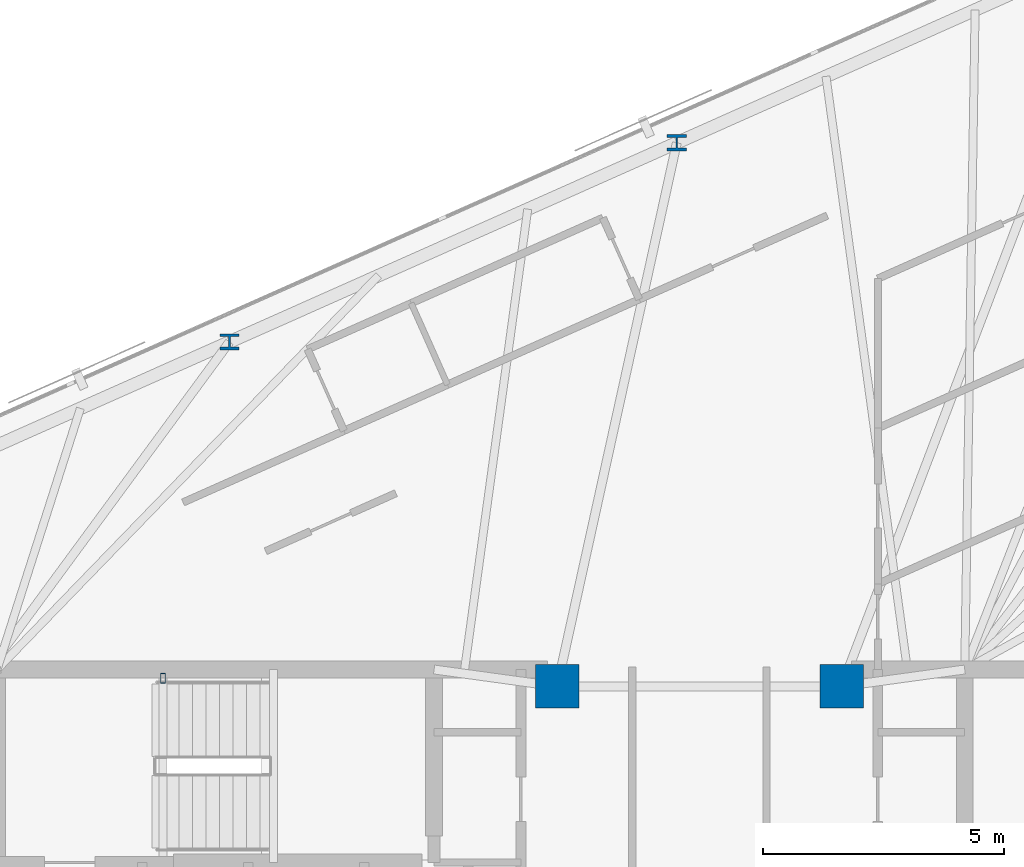
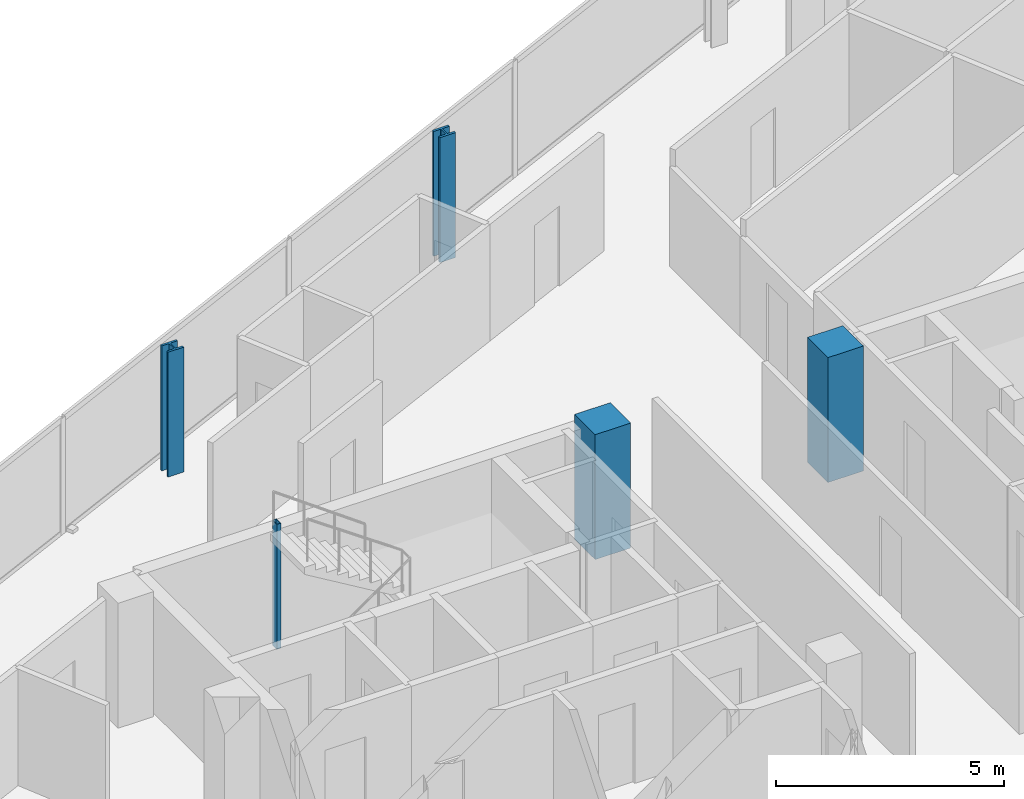
# One storey, part 2 of 19: 5 columns.
"""IFC4 building model written with IfcOpenShell, lengths in metres."""

from ifc_helpers import new_model, si_unit, direction, frame, origin, origin_2d, place, context, subcontext, project, spatial, rectangle, hollow_rectangle, i_section, extrude, material, material_profile, profile_set, type_object, element, save


model = new_model("IFC4")

# Units and contexts
model_context = context("Model", 3, precision=1e-05, world=origin(), true_north=direction((0.0, 1.0)))
body_context = subcontext(model_context, "Body", "Model", "MODEL_VIEW")
ifc_project = project(units=[si_unit("LENGTHUNIT", "METRE"), si_unit("AREAUNIT", "SQUARE_METRE"), si_unit("VOLUMEUNIT", "CUBIC_METRE"), si_unit("PLANEANGLEUNIT", "RADIAN"), si_unit("MASSUNIT", "GRAM", prefix="KILO")], contexts=[model_context])

# Site, building, storey
site_placement = place(None, origin())
site = spatial("IfcSite", under=ifc_project, at=site_placement, CompositionType="ELEMENT")
building_placement = place(site_placement, origin())
building = spatial("IfcBuilding", under=site, at=building_placement, Name="Menara Jurai Vektor", CompositionType="ELEMENT")
storey_placement = place(building_placement, frame((0.0, 0.0, 281.89990234375)))
storey = spatial("IfcBuildingStorey", under=building, at=storey_placement, Name="L75", CompositionType="ELEMENT", Elevation=281.89990234375)

# Columns
ifc_material_1 = material(Name="Concrete C50/60", Category="concrete")
ifc_material_profile_1 = material_profile(ifc_material_1, rectangle(XDim=0.89990234375, YDim=0.89990234375, at=origin_2d()), Name="RC 900x900")
ifc_profile_set_1 = profile_set([ifc_material_profile_1], Name="Concrete C50/60")
column_type_1 = type_object("IfcColumnType", Name="STR-COL-RC900", PredefinedType="COLUMN", material=ifc_profile_set_1)
for number, where, z_axis, x_axis, name in (
    (1, (-2.949951171875, 5.25, 0.0), (0.0, 0.0, 1.0), (1.0, 0.0, 0.0), "Core Spine Column CW-NE L75"),
    (2, (2.949951171875, 5.25, 0.0), (0.0, 0.0, 1.0), (1.0, 0.0, 0.0), "Core Spine Column CE-NW L75"),
):
    element("IfcColumn", number, at=place(storey_placement, frame(where, z_axis=z_axis, x_axis=x_axis)), inside=storey, type_object=column_type_1, Name=name, PredefinedType="COLUMN", context=body_context, shape_type="SweptSolid", body=[
        extrude(rectangle(XDim=0.89990234375, YDim=0.89990234375, at=origin_2d()), origin(), (0.0, 0.0, 1.0), 3.35009765625),
    ])
ifc_material_2 = material(Name="Steel S355", Category="steel")
ifc_material_profile_2 = material_profile(ifc_material_2, hollow_rectangle(XDim=0.10009765625, YDim=0.199951171875, WallThickness=0.008056640625, at=origin_2d()), Name="RHS 200x100x8")
ifc_profile_set_2 = profile_set([ifc_material_profile_2], Name="Steel S355")
column_type_2 = type_object("IfcColumnType", Name="STR-COL-STAIR", PredefinedType="COLUMN", material=ifc_profile_set_2)
column_placement = place(storey_placement, frame((-11.1201171875, 5.419921875, 0.0), z_axis=(0.0, 0.0, 1.0), x_axis=(1.0, 0.0, 0.0)))
element("IfcColumn", 3, at=column_placement, inside=storey, type_object=column_type_2, Name="Stair Well Header Column ST1-P2 L75", PredefinedType="COLUMN", context=body_context, shape_type="SweptSolid", body=[
    extrude(hollow_rectangle(XDim=0.10009765625, YDim=0.199951171875, WallThickness=0.008056640625, at=origin_2d()), origin(), (0.0, 0.0, 1.0), 3.35009765625),
])
ifc_material_3 = material(Name="Steel S460", Category="steel")
ifc_material_profile_3 = material_profile(ifc_material_3, i_section(OverallWidth=0.40087890625, OverallDepth=0.3349609375, WebThickness=0.035888671875, FlangeThickness=0.05810546875, FilletRadius=0.014892578125, at=origin_2d()), Name="HD 400x463")
ifc_profile_set_3 = profile_set([ifc_material_profile_3], Name="Steel S460")
column_type_3 = type_object("IfcColumnType", Name="STR-EXO-BLK5", PredefinedType="COLUMN", material=ifc_profile_set_3)
for number, where, z_axis, x_axis, name in (
    (4, (-0.467529296875, 16.519287109375, 0.0), (0.0, 0.0, 1.0), (1.0, 0.0, 0.0), "Exoskeleton Column BLK5-N3 L75"),
    (5, (-9.740966796875, 12.390380859375, 0.0), (0.0, 0.0, 1.0), (1.0, 0.0, 0.0), "Exoskeleton Column BLK5-N4 L75"),
):
    element("IfcColumn", number, at=place(storey_placement, frame(where, z_axis=z_axis, x_axis=x_axis)), inside=storey, type_object=column_type_3, Name=name, PredefinedType="COLUMN", context=body_context, shape_type="SweptSolid", body=[
        extrude(i_section(OverallWidth=0.40087890625, OverallDepth=0.3349609375, WebThickness=0.035888671875, FlangeThickness=0.05810546875, FilletRadius=0.014892578125, at=origin_2d()), origin(), (0.0, 0.0, 1.0), 3.35009765625),
    ])

save(model, "model.ifc")
